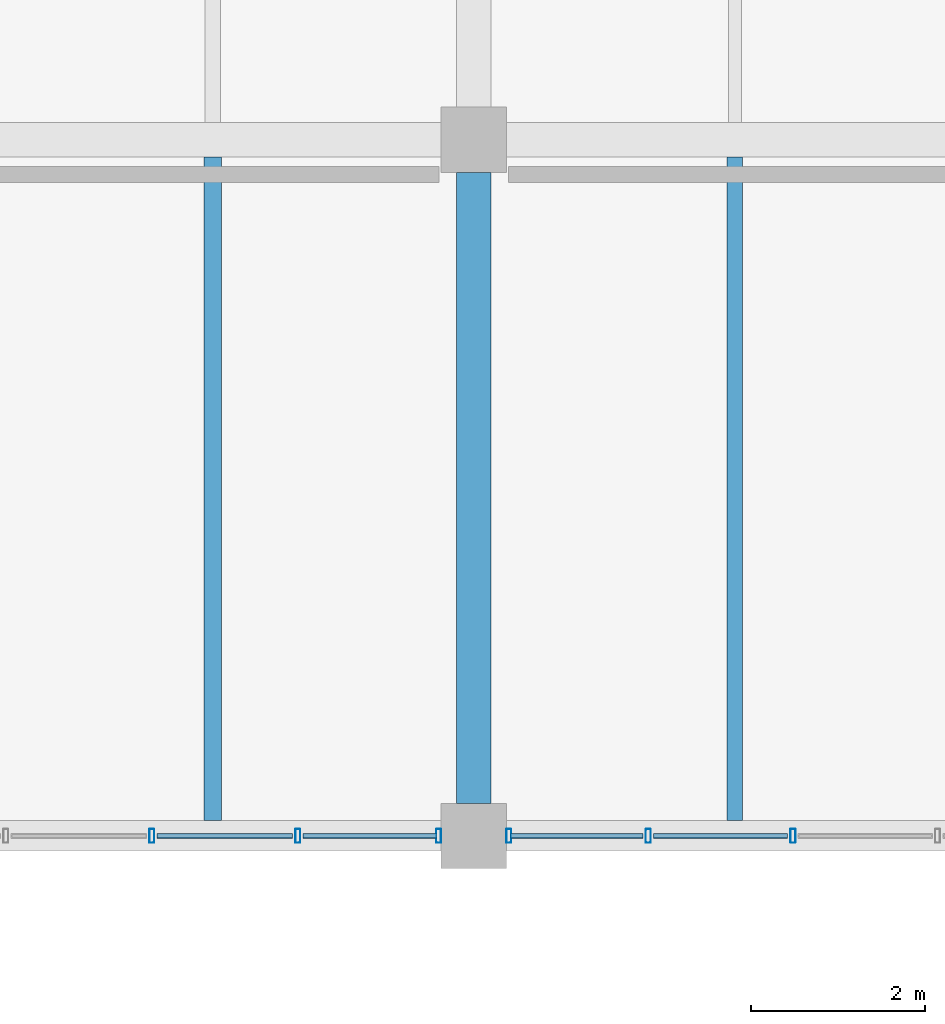
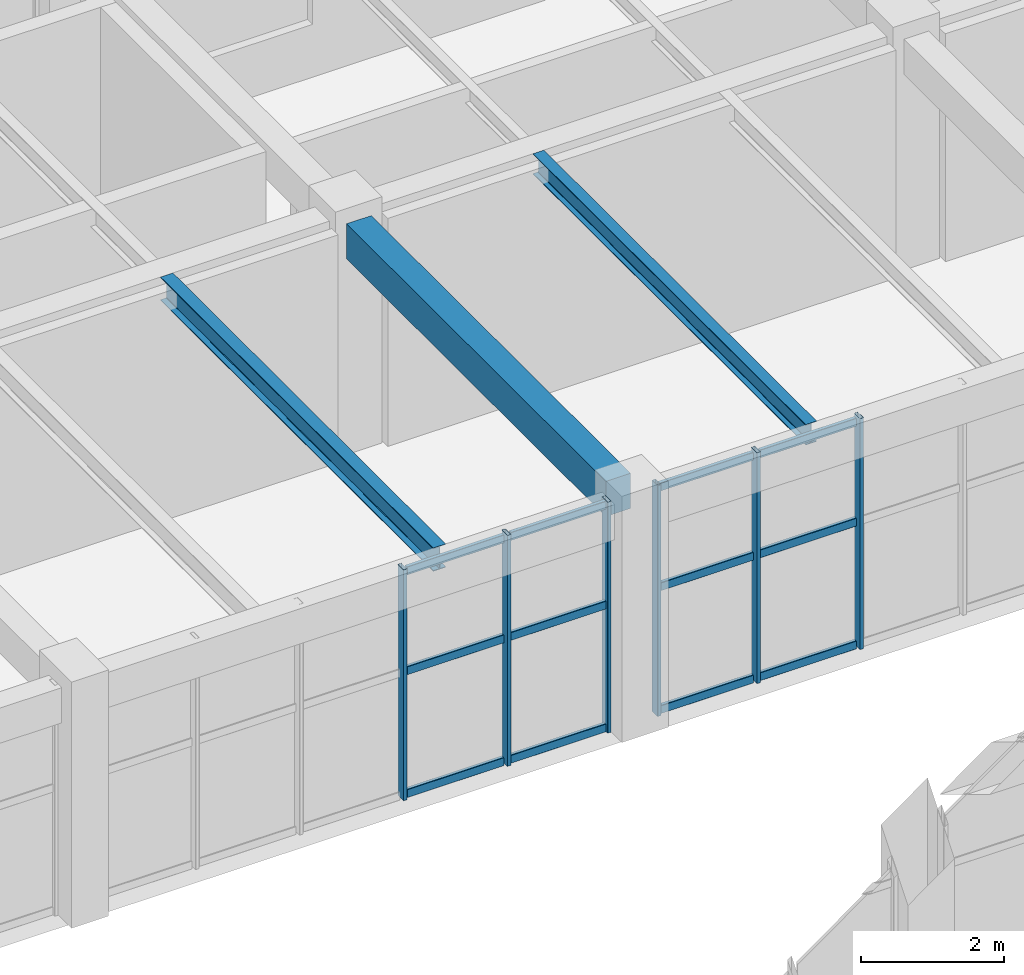
# One storey, part 70 of 148: 18 members, 3 beams, 2 elements without a shape of their own.
"""IFC4 building model written with IfcOpenShell, lengths in metres."""

from ifc_helpers import new_model, si_unit, derived_unit, direction, frame, origin, origin_2d, place, context, subcontext, project, spatial, rectangle, hollow_rectangle, i_section, extrude, material, material_profile, profile_set, type_object, element, aggregate, save


model = new_model("IFC4")

# Units and contexts
model_context = context("Model", 3, precision=1e-05, world=origin(), true_north=direction((0.0, 1.0)))
body_context = subcontext(model_context, "Body", "Model", "MODEL_VIEW")
ifc_project = project(units=[si_unit("LENGTHUNIT", "METRE"), si_unit("AREAUNIT", "SQUARE_METRE"), si_unit("VOLUMEUNIT", "CUBIC_METRE"), si_unit("PLANEANGLEUNIT", "RADIAN"), si_unit("MASSUNIT", "GRAM", prefix="KILO"), derived_unit("THERMALTRANSMITTANCEUNIT", [(si_unit("MASSUNIT", "GRAM", prefix="KILO"), 1), (si_unit("TIMEUNIT", "SECOND"), -3), (si_unit("THERMODYNAMICTEMPERATUREUNIT", "KELVIN"), -1)])], contexts=[model_context])

# Site, building, storey
site_placement = place(None, origin())
site = spatial("IfcSite", under=ifc_project, at=site_placement, CompositionType="ELEMENT")
building_placement = place(site_placement, origin())
building = spatial("IfcBuilding", under=site, at=building_placement, Name="Zhenchuan Archway Interchange", CompositionType="ELEMENT")
storey_placement = place(building_placement, frame((0.0, 0.0, 10.199951171875)))
storey = spatial("IfcBuildingStorey", under=building, at=storey_placement, Name="L02", CompositionType="ELEMENT", Elevation=10.199951171875)

# Beam
ifc_material_1 = material(Name="Concrete C40", Category="concrete")
ifc_material_profile_1 = material_profile(ifc_material_1, rectangle(XDim=0.39990234375, YDim=0.60009765625, at=origin_2d()), Name="RC 400x600")
ifc_profile_set_1 = profile_set([ifc_material_profile_1], Name="Concrete C40")
beam_type_1 = type_object("IfcBeamType", Name="BM_RC_400x600", PredefinedType="BEAM", material=ifc_profile_set_1)
beam_1_placement = place(storey_placement, frame((36.0, 96.375, 3.64013671875), z_axis=(0.0, 1.0, 0.0), x_axis=(-1.0, 0.0, 0.0)))
element("IfcBeam", 1, at=beam_1_placement, inside=storey, type_object=beam_type_1, Name="Beam 5:N-O (L02)", PredefinedType="BEAM", context=body_context, shape_type="SweptSolid", body=[
    extrude(rectangle(XDim=0.39990234375, YDim=0.60009765625, at=origin_2d()), origin(), (0.0, 0.0, 1.0), 7.25),
])

# Curtain wall, members
ifc_material_2 = material(Name="Anodised Aluminium", Category="aluminium")
curtain_wall_type_1 = type_object("IfcCurtainWallType", Name="CW_UNIT_3", PredefinedType="NOTDEFINED", material=ifc_material_2)
curtain_wall_1_placement = place(storey_placement, origin())
curtain_wall_1 = element("IfcCurtainWall", 2, at=curtain_wall_1_placement, inside=storey, type_object=curtain_wall_type_1, Name="Unitised curtain wall CW:L02:134", PredefinedType="NOTDEFINED")
ifc_material_profile_2 = material_profile(ifc_material_2, hollow_rectangle(XDim=0.06005859375, YDim=0.159912109375, WallThickness=0.00390625, InnerFilletRadius=0.00390625, OuterFilletRadius=0.008056640625, at=origin_2d()), Name="ALU 160x60x4")
ifc_profile_set_2 = profile_set([ifc_material_profile_2], Name="Anodised Aluminium")
member_type_1 = type_object("IfcMemberType", Name="CW_MUL_150", PredefinedType="MULLION", material=ifc_profile_set_2)
member_1_placement = place(storey_placement, frame((39.668701171875, 96.0, 0.0), z_axis=(0.0, 0.0, 1.0), x_axis=(1.0, 0.0, 0.0)))
member_1 = element("IfcMember", 3, at=member_1_placement, type_object=member_type_1, Name="CW:L02:134 mullion 3", PredefinedType="MULLION", context=body_context, shape_type="SweptSolid", body=[
    extrude(hollow_rectangle(XDim=0.06005859375, YDim=0.159912109375, WallThickness=0.00390625, InnerFilletRadius=0.00390625, OuterFilletRadius=0.008056640625, at=origin_2d()), origin(), (0.0, 0.0, 1.0), 3.93994140625),
])
member_2_placement = place(storey_placement, frame((38.005859375, 96.0, 0.0), z_axis=(0.0, 0.0, 1.0), x_axis=(1.0, 0.0, 0.0)))
member_2 = element("IfcMember", 4, at=member_2_placement, type_object=member_type_1, Name="CW:L02:134 mullion 4", PredefinedType="MULLION", context=body_context, shape_type="SweptSolid", body=[
    extrude(hollow_rectangle(XDim=0.06005859375, YDim=0.159912109375, WallThickness=0.00390625, InnerFilletRadius=0.00390625, OuterFilletRadius=0.008056640625, at=origin_2d()), origin(), (0.0, 0.0, 1.0), 3.93994140625),
])
member_3_placement = place(storey_placement, frame((36.403076171875, 96.0, 0.0), z_axis=(0.0, 0.0, 1.0), x_axis=(1.0, 0.0, 0.0)))
member_3 = element("IfcMember", 5, at=member_3_placement, type_object=member_type_1, Name="CW:L02:134 mullion 5", PredefinedType="MULLION", context=body_context, shape_type="SweptSolid", body=[
    extrude(hollow_rectangle(XDim=0.06005859375, YDim=0.159912109375, WallThickness=0.00390625, InnerFilletRadius=0.00390625, OuterFilletRadius=0.008056640625, at=origin_2d()), origin(), (0.0, 0.0, 1.0), 3.93994140625),
])

curtain_wall_type_2 = type_object("IfcCurtainWallType", Name="CW_UNIT_4", PredefinedType="NOTDEFINED", material=ifc_material_2)
curtain_wall_2_placement = place(storey_placement, origin())
curtain_wall_2 = element("IfcCurtainWall", 6, at=curtain_wall_2_placement, inside=storey, type_object=curtain_wall_type_2, Name="Unitised curtain wall CW:L02:135", PredefinedType="NOTDEFINED")
member_4_placement = place(storey_placement, frame((35.596923828125, 96.0, 0.0), z_axis=(0.0, 0.0, 1.0), x_axis=(1.0, 0.0, 0.0)))
member_4 = element("IfcMember", 7, at=member_4_placement, type_object=member_type_1, Name="CW:L02:135 mullion 0", PredefinedType="MULLION", context=body_context, shape_type="SweptSolid", body=[
    extrude(hollow_rectangle(XDim=0.06005859375, YDim=0.159912109375, WallThickness=0.00390625, InnerFilletRadius=0.00390625, OuterFilletRadius=0.008056640625, at=origin_2d()), origin(), (0.0, 0.0, 1.0), 3.93994140625),
])
member_5_placement = place(storey_placement, frame((33.979248046875, 96.0, 0.0), z_axis=(0.0, 0.0, 1.0), x_axis=(1.0, 0.0, 0.0)))
member_5 = element("IfcMember", 8, at=member_5_placement, type_object=member_type_1, Name="CW:L02:135 mullion 1", PredefinedType="MULLION", context=body_context, shape_type="SweptSolid", body=[
    extrude(hollow_rectangle(XDim=0.06005859375, YDim=0.159912109375, WallThickness=0.00390625, InnerFilletRadius=0.00390625, OuterFilletRadius=0.008056640625, at=origin_2d()), origin(), (0.0, 0.0, 1.0), 3.93994140625),
])
member_6_placement = place(storey_placement, frame((32.301513671875, 96.0, 0.0), z_axis=(0.0, 0.0, 1.0), x_axis=(1.0, 0.0, 0.0)))
member_6 = element("IfcMember", 9, at=member_6_placement, type_object=member_type_1, Name="CW:L02:135 mullion 2", PredefinedType="MULLION", context=body_context, shape_type="SweptSolid", body=[
    extrude(hollow_rectangle(XDim=0.06005859375, YDim=0.159912109375, WallThickness=0.00390625, InnerFilletRadius=0.00390625, OuterFilletRadius=0.008056640625, at=origin_2d()), origin(), (0.0, 0.0, 1.0), 3.93994140625),
])

# Member
ifc_material_profile_3 = material_profile(ifc_material_2, hollow_rectangle(XDim=0.06005859375, YDim=0.139892578125, WallThickness=0.00341796875, InnerFilletRadius=0.00341796875, OuterFilletRadius=0.007080078125, at=origin_2d()), Name="ALU 140x60x3.5")
ifc_profile_set_3 = profile_set([ifc_material_profile_3], Name="Anodised Aluminium")
member_type_2 = type_object("IfcMemberType", Name="CW_TRN_140", PredefinedType="USERDEFINED", material=ifc_profile_set_3)
member_7_placement = place(storey_placement, frame((39.608642578125, 96.0, 0.06005859375), z_axis=(-1.0, 0.0, 0.0), x_axis=(0.0, -1.0, 0.0)))
member_7 = element("IfcMember", 10, at=member_7_placement, type_object=member_type_2, Name="CW:L02:134 transom 3-1", ObjectType="TRANSOM", PredefinedType="USERDEFINED", context=body_context, shape_type="SweptSolid", body=[
    extrude(hollow_rectangle(XDim=0.06005859375, YDim=0.139892578125, WallThickness=0.00341796875, InnerFilletRadius=0.00341796875, OuterFilletRadius=0.007080078125, at=origin_2d()), origin(), (0.0, 0.0, 1.0), 1.542724609375),
])

member_8_placement = place(storey_placement, frame((39.608642578125, 96.0, 2.156005859375), z_axis=(-1.0, 0.0, 0.0), x_axis=(0.0, -1.0, 0.0)))
member_8 = element("IfcMember", 11, at=member_8_placement, type_object=member_type_2, Name="CW:L02:134 transom 3-2", ObjectType="TRANSOM", PredefinedType="USERDEFINED", context=body_context, shape_type="SweptSolid", body=[
    extrude(hollow_rectangle(XDim=0.06005859375, YDim=0.139892578125, WallThickness=0.00341796875, InnerFilletRadius=0.00341796875, OuterFilletRadius=0.007080078125, at=origin_2d()), origin(), (0.0, 0.0, 1.0), 1.542724609375),
])

member_9_placement = place(storey_placement, frame((39.608642578125, 96.0, 3.860107421875), z_axis=(-1.0, 0.0, 0.0), x_axis=(0.0, -1.0, 0.0)))
member_9 = element("IfcMember", 12, at=member_9_placement, type_object=member_type_2, Name="CW:L02:134 transom 3-3", ObjectType="TRANSOM", PredefinedType="USERDEFINED", context=body_context, shape_type="SweptSolid", body=[
    extrude(hollow_rectangle(XDim=0.06005859375, YDim=0.139892578125, WallThickness=0.00341796875, InnerFilletRadius=0.00341796875, OuterFilletRadius=0.007080078125, at=origin_2d()), origin(), (0.0, 0.0, 1.0), 1.542724609375),
])

member_10_placement = place(storey_placement, frame((37.94580078125, 96.0, 0.06005859375), z_axis=(-1.0, 0.0, 0.0), x_axis=(0.0, -1.0, 0.0)))
member_10 = element("IfcMember", 13, at=member_10_placement, type_object=member_type_2, Name="CW:L02:134 transom 4-1", ObjectType="TRANSOM", PredefinedType="USERDEFINED", context=body_context, shape_type="SweptSolid", body=[
    extrude(hollow_rectangle(XDim=0.06005859375, YDim=0.139892578125, WallThickness=0.00341796875, InnerFilletRadius=0.00341796875, OuterFilletRadius=0.007080078125, at=origin_2d()), origin(), (0.0, 0.0, 1.0), 1.522705078125),
])

member_11_placement = place(storey_placement, frame((37.94580078125, 96.0, 2.156005859375), z_axis=(-1.0, 0.0, 0.0), x_axis=(0.0, -1.0, 0.0)))
member_11 = element("IfcMember", 14, at=member_11_placement, type_object=member_type_2, Name="CW:L02:134 transom 4-2", ObjectType="TRANSOM", PredefinedType="USERDEFINED", context=body_context, shape_type="SweptSolid", body=[
    extrude(hollow_rectangle(XDim=0.06005859375, YDim=0.139892578125, WallThickness=0.00341796875, InnerFilletRadius=0.00341796875, OuterFilletRadius=0.007080078125, at=origin_2d()), origin(), (0.0, 0.0, 1.0), 1.522705078125),
])

member_12_placement = place(storey_placement, frame((37.94580078125, 96.0, 3.860107421875), z_axis=(-1.0, 0.0, 0.0), x_axis=(0.0, -1.0, 0.0)))
member_12 = element("IfcMember", 15, at=member_12_placement, type_object=member_type_2, Name="CW:L02:134 transom 4-3", ObjectType="TRANSOM", PredefinedType="USERDEFINED", context=body_context, shape_type="SweptSolid", body=[
    extrude(hollow_rectangle(XDim=0.06005859375, YDim=0.139892578125, WallThickness=0.00341796875, InnerFilletRadius=0.00341796875, OuterFilletRadius=0.007080078125, at=origin_2d()), origin(), (0.0, 0.0, 1.0), 1.522705078125),
])

aggregate(curtain_wall_1, [member_1, member_2, member_3, member_7, member_8, member_9, member_10, member_11, member_12])

member_13_placement = place(storey_placement, frame((35.576904296875, 96.0, 0.06005859375), z_axis=(-1.0, 0.0, 0.0), x_axis=(0.0, -1.0, 0.0)))
member_13 = element("IfcMember", 16, at=member_13_placement, type_object=member_type_2, Name="CW:L02:135 transom 0-1", ObjectType="TRANSOM", PredefinedType="USERDEFINED", context=body_context, shape_type="SweptSolid", body=[
    extrude(hollow_rectangle(XDim=0.06005859375, YDim=0.139892578125, WallThickness=0.00341796875, InnerFilletRadius=0.00341796875, OuterFilletRadius=0.007080078125, at=origin_2d()), origin(), (0.0, 0.0, 1.0), 1.53759765625),
])

member_14_placement = place(storey_placement, frame((35.576904296875, 96.0, 2.156005859375), z_axis=(-1.0, 0.0, 0.0), x_axis=(0.0, -1.0, 0.0)))
member_14 = element("IfcMember", 17, at=member_14_placement, type_object=member_type_2, Name="CW:L02:135 transom 0-2", ObjectType="TRANSOM", PredefinedType="USERDEFINED", context=body_context, shape_type="SweptSolid", body=[
    extrude(hollow_rectangle(XDim=0.06005859375, YDim=0.139892578125, WallThickness=0.00341796875, InnerFilletRadius=0.00341796875, OuterFilletRadius=0.007080078125, at=origin_2d()), origin(), (0.0, 0.0, 1.0), 1.53759765625),
])

member_15_placement = place(storey_placement, frame((35.576904296875, 96.0, 3.860107421875), z_axis=(-1.0, 0.0, 0.0), x_axis=(0.0, -1.0, 0.0)))
member_15 = element("IfcMember", 18, at=member_15_placement, type_object=member_type_2, Name="CW:L02:135 transom 0-3", ObjectType="TRANSOM", PredefinedType="USERDEFINED", context=body_context, shape_type="SweptSolid", body=[
    extrude(hollow_rectangle(XDim=0.06005859375, YDim=0.139892578125, WallThickness=0.00341796875, InnerFilletRadius=0.00341796875, OuterFilletRadius=0.007080078125, at=origin_2d()), origin(), (0.0, 0.0, 1.0), 1.53759765625),
])

member_16_placement = place(storey_placement, frame((33.919189453125, 96.0, 0.06005859375), z_axis=(-1.0, 0.0, 0.0), x_axis=(0.0, -1.0, 0.0)))
member_16 = element("IfcMember", 19, at=member_16_placement, type_object=member_type_2, Name="CW:L02:135 transom 1-1", ObjectType="TRANSOM", PredefinedType="USERDEFINED", context=body_context, shape_type="SweptSolid", body=[
    extrude(hollow_rectangle(XDim=0.06005859375, YDim=0.139892578125, WallThickness=0.00341796875, InnerFilletRadius=0.00341796875, OuterFilletRadius=0.007080078125, at=origin_2d()), origin(), (0.0, 0.0, 1.0), 1.557861328125),
])

member_17_placement = place(storey_placement, frame((33.919189453125, 96.0, 2.156005859375), z_axis=(-1.0, 0.0, 0.0), x_axis=(0.0, -1.0, 0.0)))
member_17 = element("IfcMember", 20, at=member_17_placement, type_object=member_type_2, Name="CW:L02:135 transom 1-2", ObjectType="TRANSOM", PredefinedType="USERDEFINED", context=body_context, shape_type="SweptSolid", body=[
    extrude(hollow_rectangle(XDim=0.06005859375, YDim=0.139892578125, WallThickness=0.00341796875, InnerFilletRadius=0.00341796875, OuterFilletRadius=0.007080078125, at=origin_2d()), origin(), (0.0, 0.0, 1.0), 1.557861328125),
])

member_18_placement = place(storey_placement, frame((33.919189453125, 96.0, 3.860107421875), z_axis=(-1.0, 0.0, 0.0), x_axis=(0.0, -1.0, 0.0)))
member_18 = element("IfcMember", 21, at=member_18_placement, type_object=member_type_2, Name="CW:L02:135 transom 1-3", ObjectType="TRANSOM", PredefinedType="USERDEFINED", context=body_context, shape_type="SweptSolid", body=[
    extrude(hollow_rectangle(XDim=0.06005859375, YDim=0.139892578125, WallThickness=0.00341796875, InnerFilletRadius=0.00341796875, OuterFilletRadius=0.007080078125, at=origin_2d()), origin(), (0.0, 0.0, 1.0), 1.557861328125),
])

aggregate(curtain_wall_2, [member_4, member_5, member_6, member_13, member_14, member_15, member_16, member_17, member_18])

# Beams
ifc_material_3 = material(Name="Steel Q355", Category="steel")
ifc_material_profile_4 = material_profile(ifc_material_3, i_section(OverallWidth=0.175048828125, OverallDepth=0.35009765625, WebThickness=0.007080078125, FlangeThickness=0.010986328125, FilletRadius=0.013916015625, at=origin_2d()), Name="HN 350x175")
ifc_profile_set_4 = profile_set([ifc_material_profile_4], Name="Steel Q355")
beam_type_2 = type_object("IfcBeamType", Name="JST_STL_HN350", PredefinedType="JOIST", material=ifc_profile_set_4)
beam_2_placement = place(storey_placement, frame((39.0, 96.175048828125, 3.76513671875), z_axis=(0.0, 1.0, 0.0), x_axis=(-1.0, 0.0, 0.0)))
element("IfcBeam", 22, at=beam_2_placement, inside=storey, type_object=beam_type_2, Name="Secondary joist 5-6/N-O #1 (L02)", PredefinedType="JOIST", context=body_context, shape_type="SweptSolid", body=[
    extrude(i_section(OverallWidth=0.175048828125, OverallDepth=0.35009765625, WebThickness=0.007080078125, FlangeThickness=0.010986328125, FilletRadius=0.013916015625, at=origin_2d()), origin(), (0.0, 0.0, 1.0), 7.625),
])
ifc_material_profile_5 = material_profile(ifc_material_3, i_section(OverallWidth=0.199951171875, OverallDepth=0.39990234375, WebThickness=0.008056640625, FlangeThickness=0.012939453125, FilletRadius=0.01611328125, at=origin_2d()), Name="HN 400x200")
ifc_profile_set_5 = profile_set([ifc_material_profile_5], Name="Steel Q355")
beam_type_3 = type_object("IfcBeamType", Name="JST_STL_HN400", PredefinedType="JOIST", material=ifc_profile_set_5)
beam_3_placement = place(storey_placement, frame((33.0, 96.175048828125, 3.739990234375), z_axis=(0.0, 1.0, 0.0), x_axis=(-1.0, 0.0, 0.0)))
element("IfcBeam", 23, at=beam_3_placement, inside=storey, type_object=beam_type_3, Name="Secondary joist 4-5/N-O #2 (L02)", PredefinedType="JOIST", context=body_context, shape_type="SweptSolid", body=[
    extrude(i_section(OverallWidth=0.199951171875, OverallDepth=0.39990234375, WebThickness=0.008056640625, FlangeThickness=0.012939453125, FilletRadius=0.01611328125, at=origin_2d()), origin(), (0.0, 0.0, 1.0), 7.625),
])

save(model, "model.ifc")
